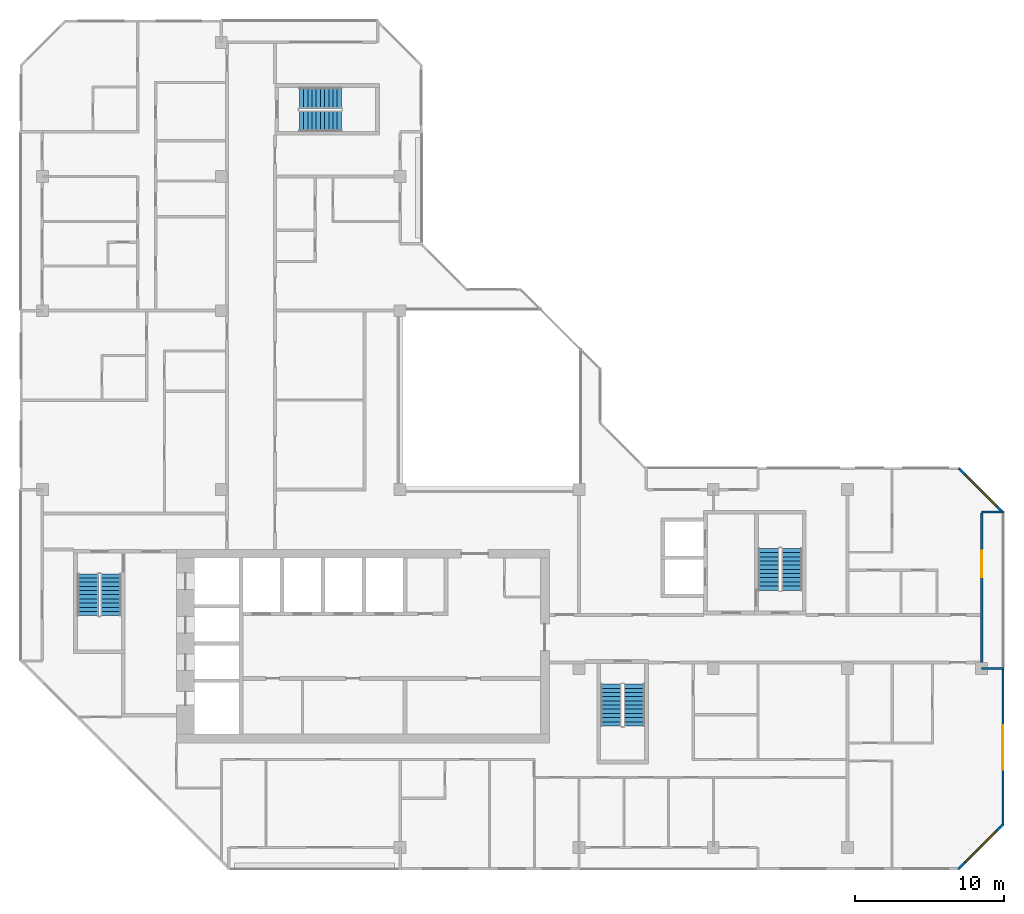
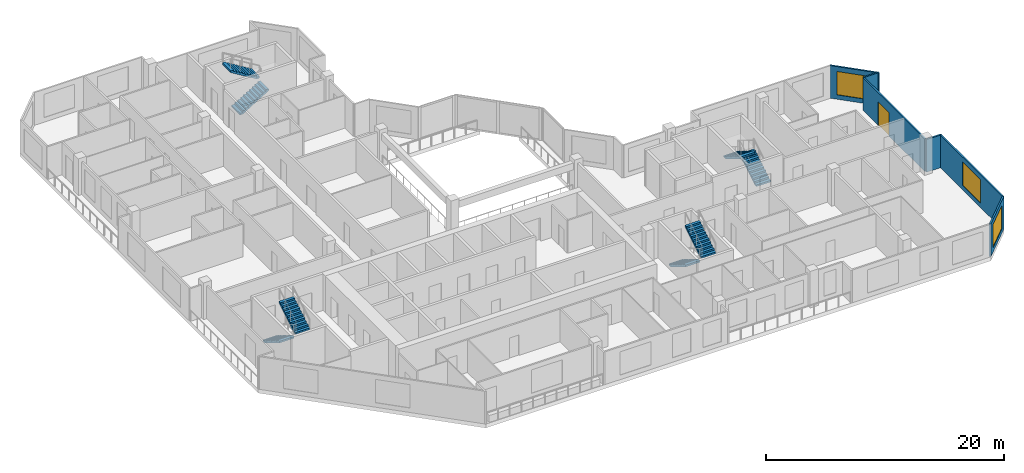
# One storey, part 11 of 13: 8 stair flights, 6 walls, 3 windows, 1 door, 4 openings, 4 elements without a shape of their own.
"""IFC4 building model written with IfcOpenShell, lengths in metres."""

from ifc_helpers import new_model, si_unit, direction, frame, frame_2d, origin, place, context, subcontext, project, spatial, polyline, rectangle, outline, extrude, material, layer, layer_set, type_object, element, fill, aggregate, save


model = new_model("IFC4")

# Units and contexts
model_context = context("Model", 3, precision=1e-05, world=origin(), true_north=direction((0.0, 1.0)))
body_context = subcontext(model_context, "Body", "Model", "MODEL_VIEW")
ifc_project = project(units=[si_unit("LENGTHUNIT", "METRE"), si_unit("AREAUNIT", "SQUARE_METRE"), si_unit("VOLUMEUNIT", "CUBIC_METRE"), si_unit("PLANEANGLEUNIT", "RADIAN"), si_unit("MASSUNIT", "GRAM", prefix="KILO")], contexts=[model_context])

# Site, building, storey
site_placement = place(None, origin())
site = spatial("IfcSite", under=ifc_project, at=site_placement, CompositionType="ELEMENT")
building_placement = place(site_placement, origin())
building = spatial("IfcBuilding", under=site, at=building_placement, Name="Chenar Terraces", CompositionType="ELEMENT")
storey_placement = place(building_placement, frame((0.0, 0.0, 299.64990234375)))
storey = spatial("IfcBuildingStorey", under=building, at=storey_placement, Name="L70", CompositionType="ELEMENT", Elevation=299.64990234375)

# Wall, opening, window
ifc_material_1 = material(Name="Aluminium framed glazing", Category="aluminium")
ifc_layer_1 = layer(ifc_material_1, 0.14990234375)
ifc_layer_set_1 = layer_set([ifc_layer_1], Name="Aluminium framed glazing")
wall_type_1 = type_object("IfcWallType", Name="Glazed flush facade wall 150", PredefinedType="SOLIDWALL", material=ifc_layer_set_1)
wall_1_placement = place(storey_placement, frame((64.425048828125, 1.5, 0.0), z_axis=(0.0, 0.0, 1.0), x_axis=(0.0, 1.0, 0.0)))
wall_1 = element("IfcWall", 1, at=wall_1_placement, inside=storey, type_object=wall_type_1, Name="Glazed flush facade wall", PredefinedType="SOLIDWALL", context=body_context, shape_type="SweptSolid", body=[
    extrude(rectangle(XDim=10.425048828125, YDim=0.14990234375, at=frame_2d((5.21240234375, 0.0))), origin(), (0.0, 0.0, 1.0), 3.35009765625),
])
opening_1_placement = place(wall_1_placement, frame((3.71240234375, 0.0, 0.449951171875)))
opening_1 = element("IfcOpeningElement", 2, at=opening_1_placement, cuts=wall_1, Name="Opening W300x240", PredefinedType="OPENING", context=body_context, shape_type="SweptSolid", body=[
    extrude(rectangle(XDim=3.0, YDim=2.39990234375, at=frame_2d((1.5, 1.199951171875))), frame((0.0, 0.0849609375, 0.0), z_axis=(0.0, -1.0, 0.0), x_axis=(1.0, 0.0, 0.0)), (0.0, 0.0, 1.0), 0.169921875),
])
ifc_material_2 = material(Name="Low emissivity double glazing, aluminium frame", Category="aluminium")
window_type = type_object("IfcWindowType", Name="Fixed light 3000 x 2400", PartitioningType="SINGLE_PANEL", PredefinedType="WINDOW", material=ifc_material_2)
window_1_placement = place(opening_1_placement, origin())
window_1 = element("IfcWindow", 3, at=window_1_placement, inside=storey, type_object=window_type, Name="Window", OverallHeight=2.39990234375, OverallWidth=3.0, PartitioningType="SINGLE_PANEL", PredefinedType="WINDOW", context=body_context, shape_type="SweptSolid", body=[
    extrude(rectangle(XDim=3.0, YDim=2.39990234375, at=frame_2d((1.5, 1.199951171875))), frame((0.0, 0.030029296875, 0.0), z_axis=(0.0, -1.0, 0.0), x_axis=(1.0, 0.0, 0.0)), (0.0, 0.0, 1.0), 0.06005859375),
])
fill(opening_1, window_1)

# Wall, opening, door
ifc_material_3 = material(Name="Aluminium framed glazing", Category="aluminium")
ifc_layer_2 = layer(ifc_material_3, 0.14990234375)
ifc_layer_set_2 = layer_set([ifc_layer_2], Name="Aluminium framed glazing")
wall_type_2 = type_object("IfcWallType", Name="Glazed loggia back wall 150", PredefinedType="SOLIDWALL", material=ifc_layer_set_2)
wall_2_placement = place(storey_placement, frame((63.0, 12.074951171875, 0.0), z_axis=(0.0, 0.0, 1.0), x_axis=(0.0, 1.0, 0.0)))
wall_2 = element("IfcWall", 4, at=wall_2_placement, inside=storey, type_object=wall_type_2, Name="Glazed loggia back wall", PredefinedType="SOLIDWALL", context=body_context, shape_type="SweptSolid", body=[
    extrude(rectangle(XDim=10.35009765625, YDim=0.14990234375, at=frame_2d((5.175048828125, 0.0))), origin(), (0.0, 0.0, 1.0), 3.35009765625),
])
opening_2_placement = place(wall_2_placement, frame((6.03759765625, 0.0, 0.0)))
opening_2 = element("IfcOpeningElement", 5, at=opening_2_placement, cuts=wall_2, Name="Opening DL70-G6", PredefinedType="OPENING", context=body_context, shape_type="SweptSolid", body=[
    extrude(rectangle(XDim=1.800048828125, YDim=2.39990234375, at=frame_2d((0.89990234375, 1.199951171875))), frame((0.0, 0.0849609375, 0.0), z_axis=(0.0, -1.0, 0.0), x_axis=(1.0, 0.0, 0.0)), (0.0, 0.0, 1.0), 0.169921875),
])
ifc_material_4 = material(Name="Low emissivity double glazing, aluminium frame", Category="aluminium")
door_type = type_object("IfcDoorType", Name="Loggia glazed double door 1800 x 2400", OperationType="DOUBLE_DOOR_SINGLE_SWING", PredefinedType="DOOR", material=ifc_material_4)
door_placement = place(opening_2_placement, frame((1.800048828125, 0.0, 0.0), z_axis=(0.0, 0.0, 1.0), x_axis=(-1.0, 0.0, 0.0)))
door = element("IfcDoor", 6, at=door_placement, inside=storey, type_object=door_type, Name="Loggia glazed door", OperationType="DOUBLE_DOOR_SINGLE_SWING", OverallHeight=2.39990234375, OverallWidth=1.800048828125, PredefinedType="DOOR", context=body_context, shape_type="SweptSolid", body=[
    extrude(rectangle(XDim=1.800048828125, YDim=2.39990234375, at=frame_2d((0.89990234375, 1.199951171875))), frame((0.0, 0.02490234375, 0.0), z_axis=(0.0, -1.0, 0.0), x_axis=(1.0, 0.0, 0.0)), (0.0, 0.0, 1.0), 0.050048828125),
])
fill(opening_2, door)

# Walls
ifc_material_5 = material(Name="Terracotta cladding on insulated backing", Category="masonry")
ifc_layer_3 = layer(ifc_material_5, 0.14990234375)
ifc_layer_set_3 = layer_set([ifc_layer_3], Name="Terracotta cladding on insulated backing")
wall_type_3 = type_object("IfcWallType", Name="Loggia return wall 150", PredefinedType="SOLIDWALL", material=ifc_layer_set_3)
for number, where, z_axis, x_axis, name in (
    (7, (64.5, 12.0, 0.0), (0.0, 0.0, 1.0), (-1.0, 0.0, 0.0), "Loggia return wall"),
    (8, (64.5, 22.5, 0.0), (0.0, 0.0, 1.0), (-1.0, 0.0, 0.0), "Loggia return wall"),
):
    element("IfcWall", number, at=place(storey_placement, frame(where, z_axis=z_axis, x_axis=x_axis)), inside=storey, type_object=wall_type_3, Name=name, PredefinedType="SOLIDWALL", context=body_context, shape_type="SweptSolid", body=[
        extrude(rectangle(XDim=1.5, YDim=0.14990234375, at=frame_2d((0.75, 0.0))), origin(), (0.0, 0.0, 1.0), 3.35009765625),
    ])

# Wall, opening, window
ifc_material_6 = material(Name="Terracotta cladding on insulated backing", Category="masonry")
ifc_layer_4 = layer(ifc_material_6, 0.14990234375)
ifc_layer_set_4 = layer_set([ifc_layer_4], Name="Terracotta cladding on insulated backing")
wall_type_4 = type_object("IfcWallType", Name="Terracotta rainscreen wall 150", PredefinedType="SOLIDWALL", material=ifc_layer_set_4)
wall_3_placement = place(storey_placement, frame((61.447021484375, -1.447021484375, 0.0), z_axis=(0.0, 0.0, 1.0), x_axis=(0.707106781187, 0.707106781187, 0.0)))
wall_3 = element("IfcWall", 9, at=wall_3_placement, inside=storey, type_object=wall_type_4, Name="Terracotta rainscreen wall", PredefinedType="SOLIDWALL", context=body_context, shape_type="SweptSolid", body=[
    extrude(rectangle(XDim=4.24267578125, YDim=0.14990234375, at=frame_2d((2.121337890625, 0.0))), origin(), (0.0, 0.0, 1.0), 3.35009765625),
])
opening_3_placement = place(wall_3_placement, frame((0.621337890625, 0.0, 0.449951171875)))
opening_3 = element("IfcOpeningElement", 10, at=opening_3_placement, cuts=wall_3, Name="Opening W300x240", PredefinedType="OPENING", context=body_context, shape_type="SweptSolid", body=[
    extrude(rectangle(XDim=3.0, YDim=2.39990234375, at=frame_2d((1.5, 1.199951171875))), frame((0.0, 0.0849609375, 0.0), z_axis=(0.0, -1.0, 0.0), x_axis=(1.0, 0.0, 0.0)), (0.0, 0.0, 1.0), 0.169921875),
])
window_2_placement = place(opening_3_placement, origin())
window_2 = element("IfcWindow", 11, at=window_2_placement, inside=storey, type_object=window_type, Name="Window", OverallHeight=2.39990234375, OverallWidth=3.0, PartitioningType="SINGLE_PANEL", PredefinedType="WINDOW", context=body_context, shape_type="SweptSolid", body=[
    extrude(rectangle(XDim=3.0, YDim=2.39990234375, at=frame_2d((1.5, 1.199951171875))), frame((0.0, 0.030029296875, 0.0), z_axis=(0.0, -1.0, 0.0), x_axis=(1.0, 0.0, 0.0)), (0.0, 0.0, 1.0), 0.06005859375),
])
fill(opening_3, window_2)

wall_4_placement = place(storey_placement, frame((64.447021484375, 22.447021484375, 0.0), z_axis=(0.0, 0.0, 1.0), x_axis=(-0.707106781187, 0.707106781187, 0.0)))
wall_4 = element("IfcWall", 12, at=wall_4_placement, inside=storey, type_object=wall_type_4, Name="Terracotta rainscreen wall", PredefinedType="SOLIDWALL", context=body_context, shape_type="SweptSolid", body=[
    extrude(rectangle(XDim=4.24267578125, YDim=0.14990234375, at=frame_2d((2.121337890625, 0.0))), origin(), (0.0, 0.0, 1.0), 3.35009765625),
])
opening_4_placement = place(wall_4_placement, frame((0.621337890625, 0.0, 0.449951171875)))
opening_4 = element("IfcOpeningElement", 13, at=opening_4_placement, cuts=wall_4, Name="Opening W300x240", PredefinedType="OPENING", context=body_context, shape_type="SweptSolid", body=[
    extrude(rectangle(XDim=3.0, YDim=2.39990234375, at=frame_2d((1.5, 1.199951171875))), frame((0.0, 0.0849609375, 0.0), z_axis=(0.0, -1.0, 0.0), x_axis=(1.0, 0.0, 0.0)), (0.0, 0.0, 1.0), 0.169921875),
])
window_3_placement = place(opening_4_placement, origin())
window_3 = element("IfcWindow", 14, at=window_3_placement, inside=storey, type_object=window_type, Name="Window", OverallHeight=2.39990234375, OverallWidth=3.0, PartitioningType="SINGLE_PANEL", PredefinedType="WINDOW", context=body_context, shape_type="SweptSolid", body=[
    extrude(rectangle(XDim=3.0, YDim=2.39990234375, at=frame_2d((1.5, 1.199951171875))), frame((0.0, 0.030029296875, 0.0), z_axis=(0.0, -1.0, 0.0), x_axis=(1.0, 0.0, 0.0)), (0.0, 0.0, 1.0), 0.06005859375),
])
fill(opening_4, window_3)

# Stair, stair flights
ifc_material_7 = material(Name="Reinforced concrete C40/50", Category="concrete")
stair_type = type_object("IfcStairType", Name="Core stair 1400 half-turn", PredefinedType="HALF_TURN_STAIR", material=ifc_material_7)
placement = place(storey_placement, origin())
stair_1 = element("IfcStair", 15, at=placement, inside=storey, type_object=stair_type, Name="L70 Stair 1", PredefinedType="HALF_TURN_STAIR")
ifc_material_8 = material(Name="Reinforced concrete C40/50", Category="concrete")
stair_flight_type = type_object("IfcStairFlightType", Name="Core stair flight 1400", PredefinedType="STRAIGHT", material=ifc_material_8)
stair_flight_1_placement = place(storey_placement, frame((3.050048828125, 18.35009765625, 0.0), z_axis=(0.0, 0.0, 1.0), x_axis=(0.0, -1.0, 0.0)))
stair_flight_1 = element("IfcStairFlight", 16, at=stair_flight_1_placement, type_object=stair_flight_type, Name="ST1 flight 1", NumberOfRisers=11, NumberOfTreads=10, PredefinedType="STRAIGHT", RiserHeight=0.170454545, TreadLength=0.28, context=body_context, shape_type="SweptSolid", body=[
    extrude(outline(polyline([(-0.0029296875, 0.0), (-0.0029296875, 0.17041015625), (0.0, 0.17041015625), (0.280029296875, 0.17041015625), (0.280029296875, 0.3408203125), (0.56005859375, 0.3408203125), (0.56005859375, 0.511474609375), (0.840087890625, 0.511474609375), (0.840087890625, 0.681884765625), (1.1201171875, 0.681884765625), (1.1201171875, 0.852294921875), (1.39990234375, 0.852294921875), (1.39990234375, 1.022705078125), (1.679931640625, 1.022705078125), (1.679931640625, 1.193115234375), (1.9599609375, 1.193115234375), (1.9599609375, 1.363525390625), (2.239990234375, 1.363525390625), (2.239990234375, 1.5341796875), (2.52001953125, 1.5341796875), (2.52001953125, 1.70458984375), (2.800048828125, 1.70458984375), (2.802978515625, 1.70458984375), (2.802978515625, 1.529052734375), (2.800048828125, 1.529052734375), (0.288330078125, 0.0), (-0.0029296875, 0.0)])), frame((0.0, 0.699951171875, 0.0), z_axis=(0.0, -1.0, 0.0), x_axis=(1.0, 0.0, 0.0)), (0.0, 0.0, 1.0), 1.39990234375),
])
stair_flight_2_placement = place(storey_placement, frame((4.60009765625, 15.550048828125, 1.875), z_axis=(0.0, 0.0, 1.0), x_axis=(0.0, 1.0, 0.0)))
stair_flight_2 = element("IfcStairFlight", 17, at=stair_flight_2_placement, type_object=stair_flight_type, Name="ST1 flight 2", NumberOfRisers=11, NumberOfTreads=10, PredefinedType="STRAIGHT", RiserHeight=0.170454545, TreadLength=0.28, context=body_context, shape_type="SweptSolid", body=[
    extrude(outline(polyline([(-0.0029296875, 0.0), (-0.0029296875, 0.17041015625), (0.0, 0.17041015625), (0.280029296875, 0.17041015625), (0.280029296875, 0.3408203125), (0.56005859375, 0.3408203125), (0.56005859375, 0.511474609375), (0.840087890625, 0.511474609375), (0.840087890625, 0.681884765625), (1.1201171875, 0.681884765625), (1.1201171875, 0.852294921875), (1.39990234375, 0.852294921875), (1.39990234375, 1.022705078125), (1.679931640625, 1.022705078125), (1.679931640625, 1.193115234375), (1.9599609375, 1.193115234375), (1.9599609375, 1.363525390625), (2.239990234375, 1.363525390625), (2.239990234375, 1.5341796875), (2.52001953125, 1.5341796875), (2.52001953125, 1.70458984375), (2.800048828125, 1.70458984375), (2.802978515625, 1.70458984375), (2.802978515625, 1.529052734375), (2.800048828125, 1.529052734375), (0.288330078125, 0.0), (-0.0029296875, 0.0)])), frame((0.0, 0.699951171875, 0.0), z_axis=(0.0, -1.0, 0.0), x_axis=(1.0, 0.0, 0.0)), (0.0, 0.0, 1.0), 1.39990234375),
])
aggregate(stair_1, [stair_flight_1, stair_flight_2])

stair_2 = element("IfcStair", 18, at=placement, inside=storey, type_object=stair_type, Name="L70 Stair 2", PredefinedType="HALF_TURN_STAIR")
stair_flight_3_placement = place(storey_placement, frame((38.14990234375, 10.949951171875, 0.0), z_axis=(0.0, 0.0, 1.0), x_axis=(0.0, -1.0, 0.0)))
stair_flight_3 = element("IfcStairFlight", 19, at=stair_flight_3_placement, type_object=stair_flight_type, Name="ST2 flight 1", NumberOfRisers=11, NumberOfTreads=10, PredefinedType="STRAIGHT", RiserHeight=0.170454545, TreadLength=0.28, context=body_context, shape_type="SweptSolid", body=[
    extrude(outline(polyline([(-0.0029296875, 0.0), (-0.0029296875, 0.17041015625), (0.0, 0.17041015625), (0.280029296875, 0.17041015625), (0.280029296875, 0.3408203125), (0.56005859375, 0.3408203125), (0.56005859375, 0.511474609375), (0.840087890625, 0.511474609375), (0.840087890625, 0.681884765625), (1.1201171875, 0.681884765625), (1.1201171875, 0.852294921875), (1.39990234375, 0.852294921875), (1.39990234375, 1.022705078125), (1.679931640625, 1.022705078125), (1.679931640625, 1.193115234375), (1.9599609375, 1.193115234375), (1.9599609375, 1.363525390625), (2.239990234375, 1.363525390625), (2.239990234375, 1.5341796875), (2.52001953125, 1.5341796875), (2.52001953125, 1.70458984375), (2.800048828125, 1.70458984375), (2.802978515625, 1.70458984375), (2.802978515625, 1.529052734375), (2.800048828125, 1.529052734375), (0.288330078125, 0.0), (-0.0029296875, 0.0)])), frame((0.0, 0.699951171875, 0.0), z_axis=(0.0, -1.0, 0.0), x_axis=(1.0, 0.0, 0.0)), (0.0, 0.0, 1.0), 1.39990234375),
])
stair_flight_4_placement = place(storey_placement, frame((39.699951171875, 8.14990234375, 1.875), z_axis=(0.0, 0.0, 1.0), x_axis=(0.0, 1.0, 0.0)))
stair_flight_4 = element("IfcStairFlight", 20, at=stair_flight_4_placement, type_object=stair_flight_type, Name="ST2 flight 2", NumberOfRisers=11, NumberOfTreads=10, PredefinedType="STRAIGHT", RiserHeight=0.170454545, TreadLength=0.28, context=body_context, shape_type="SweptSolid", body=[
    extrude(outline(polyline([(-0.0029296875, 0.0), (-0.0029296875, 0.17041015625), (0.0, 0.17041015625), (0.280029296875, 0.17041015625), (0.280029296875, 0.3408203125), (0.56005859375, 0.3408203125), (0.56005859375, 0.511474609375), (0.840087890625, 0.511474609375), (0.840087890625, 0.681884765625), (1.1201171875, 0.681884765625), (1.1201171875, 0.852294921875), (1.39990234375, 0.852294921875), (1.39990234375, 1.022705078125), (1.679931640625, 1.022705078125), (1.679931640625, 1.193115234375), (1.9599609375, 1.193115234375), (1.9599609375, 1.363525390625), (2.239990234375, 1.363525390625), (2.239990234375, 1.5341796875), (2.52001953125, 1.5341796875), (2.52001953125, 1.70458984375), (2.800048828125, 1.70458984375), (2.802978515625, 1.70458984375), (2.802978515625, 1.529052734375), (2.800048828125, 1.529052734375), (0.288330078125, 0.0), (-0.0029296875, 0.0)])), frame((0.0, 0.699951171875, 0.0), z_axis=(0.0, -1.0, 0.0), x_axis=(1.0, 0.0, 0.0)), (0.0, 0.0, 1.0), 1.39990234375),
])
aggregate(stair_2, [stair_flight_3, stair_flight_4])

stair_3 = element("IfcStair", 21, at=placement, inside=storey, type_object=stair_type, Name="L70 Stair 3", PredefinedType="HALF_TURN_STAIR")
stair_flight_5_placement = place(storey_placement, frame((50.27490234375, 17.25, 0.0), z_axis=(0.0, 0.0, 1.0), x_axis=(0.0, 1.0, 0.0)))
stair_flight_5 = element("IfcStairFlight", 22, at=stair_flight_5_placement, type_object=stair_flight_type, Name="ST3 flight 1", NumberOfRisers=11, NumberOfTreads=10, PredefinedType="STRAIGHT", RiserHeight=0.170454545, TreadLength=0.28, context=body_context, shape_type="SweptSolid", body=[
    extrude(outline(polyline([(-0.0029296875, 0.0), (-0.0029296875, 0.17041015625), (0.0, 0.17041015625), (0.280029296875, 0.17041015625), (0.280029296875, 0.3408203125), (0.56005859375, 0.3408203125), (0.56005859375, 0.511474609375), (0.840087890625, 0.511474609375), (0.840087890625, 0.681884765625), (1.1201171875, 0.681884765625), (1.1201171875, 0.852294921875), (1.39990234375, 0.852294921875), (1.39990234375, 1.022705078125), (1.679931640625, 1.022705078125), (1.679931640625, 1.193115234375), (1.9599609375, 1.193115234375), (1.9599609375, 1.363525390625), (2.239990234375, 1.363525390625), (2.239990234375, 1.5341796875), (2.52001953125, 1.5341796875), (2.52001953125, 1.70458984375), (2.800048828125, 1.70458984375), (2.802978515625, 1.70458984375), (2.802978515625, 1.529052734375), (2.800048828125, 1.529052734375), (0.288330078125, 0.0), (-0.0029296875, 0.0)])), frame((0.0, 0.699951171875, 0.0), z_axis=(0.0, -1.0, 0.0), x_axis=(1.0, 0.0, 0.0)), (0.0, 0.0, 1.0), 1.39990234375),
])
stair_flight_6_placement = place(storey_placement, frame((48.72509765625, 20.050048828125, 1.875), z_axis=(0.0, 0.0, 1.0), x_axis=(0.0, -1.0, 0.0)))
stair_flight_6 = element("IfcStairFlight", 23, at=stair_flight_6_placement, type_object=stair_flight_type, Name="ST3 flight 2", NumberOfRisers=11, NumberOfTreads=10, PredefinedType="STRAIGHT", RiserHeight=0.170454545, TreadLength=0.28, context=body_context, shape_type="SweptSolid", body=[
    extrude(outline(polyline([(-0.0029296875, 0.0), (-0.0029296875, 0.17041015625), (0.0, 0.17041015625), (0.280029296875, 0.17041015625), (0.280029296875, 0.3408203125), (0.56005859375, 0.3408203125), (0.56005859375, 0.511474609375), (0.840087890625, 0.511474609375), (0.840087890625, 0.681884765625), (1.1201171875, 0.681884765625), (1.1201171875, 0.852294921875), (1.39990234375, 0.852294921875), (1.39990234375, 1.022705078125), (1.679931640625, 1.022705078125), (1.679931640625, 1.193115234375), (1.9599609375, 1.193115234375), (1.9599609375, 1.363525390625), (2.239990234375, 1.363525390625), (2.239990234375, 1.5341796875), (2.52001953125, 1.5341796875), (2.52001953125, 1.70458984375), (2.800048828125, 1.70458984375), (2.802978515625, 1.70458984375), (2.802978515625, 1.529052734375), (2.800048828125, 1.529052734375), (0.288330078125, 0.0), (-0.0029296875, 0.0)])), frame((0.0, 0.699951171875, 0.0), z_axis=(0.0, -1.0, 0.0), x_axis=(1.0, 0.0, 0.0)), (0.0, 0.0, 1.0), 1.39990234375),
])
aggregate(stair_3, [stair_flight_5, stair_flight_6])

stair_4 = element("IfcStair", 24, at=placement, inside=storey, type_object=stair_type, Name="L70 Stair 4", PredefinedType="HALF_TURN_STAIR")
stair_flight_7_placement = place(storey_placement, frame((17.25, 48.72509765625, 0.0), z_axis=(0.0, 0.0, 1.0), x_axis=(1.0, 0.0, 0.0)))
stair_flight_7 = element("IfcStairFlight", 25, at=stair_flight_7_placement, type_object=stair_flight_type, Name="ST4 flight 1", NumberOfRisers=11, NumberOfTreads=10, PredefinedType="STRAIGHT", RiserHeight=0.170454545, TreadLength=0.28, context=body_context, shape_type="SweptSolid", body=[
    extrude(outline(polyline([(-0.0029296875, 0.0), (-0.0029296875, 0.17041015625), (0.0, 0.17041015625), (0.280029296875, 0.17041015625), (0.280029296875, 0.3408203125), (0.56005859375, 0.3408203125), (0.56005859375, 0.511474609375), (0.840087890625, 0.511474609375), (0.840087890625, 0.681884765625), (1.1201171875, 0.681884765625), (1.1201171875, 0.852294921875), (1.39990234375, 0.852294921875), (1.39990234375, 1.022705078125), (1.679931640625, 1.022705078125), (1.679931640625, 1.193115234375), (1.9599609375, 1.193115234375), (1.9599609375, 1.363525390625), (2.239990234375, 1.363525390625), (2.239990234375, 1.5341796875), (2.52001953125, 1.5341796875), (2.52001953125, 1.70458984375), (2.800048828125, 1.70458984375), (2.802978515625, 1.70458984375), (2.802978515625, 1.529052734375), (2.800048828125, 1.529052734375), (0.288330078125, 0.0), (-0.0029296875, 0.0)])), frame((0.0, 0.699951171875, 0.0), z_axis=(0.0, -1.0, 0.0), x_axis=(1.0, 0.0, 0.0)), (0.0, 0.0, 1.0), 1.39990234375),
])
stair_flight_8_placement = place(storey_placement, frame((20.050048828125, 50.27490234375, 1.875), z_axis=(0.0, 0.0, 1.0), x_axis=(-1.0, 0.0, 0.0)))
stair_flight_8 = element("IfcStairFlight", 26, at=stair_flight_8_placement, type_object=stair_flight_type, Name="ST4 flight 2", NumberOfRisers=11, NumberOfTreads=10, PredefinedType="STRAIGHT", RiserHeight=0.170454545, TreadLength=0.28, context=body_context, shape_type="SweptSolid", body=[
    extrude(outline(polyline([(-0.0029296875, 0.0), (-0.0029296875, 0.17041015625), (0.0, 0.17041015625), (0.280029296875, 0.17041015625), (0.280029296875, 0.3408203125), (0.56005859375, 0.3408203125), (0.56005859375, 0.511474609375), (0.840087890625, 0.511474609375), (0.840087890625, 0.681884765625), (1.1201171875, 0.681884765625), (1.1201171875, 0.852294921875), (1.39990234375, 0.852294921875), (1.39990234375, 1.022705078125), (1.679931640625, 1.022705078125), (1.679931640625, 1.193115234375), (1.9599609375, 1.193115234375), (1.9599609375, 1.363525390625), (2.239990234375, 1.363525390625), (2.239990234375, 1.5341796875), (2.52001953125, 1.5341796875), (2.52001953125, 1.70458984375), (2.800048828125, 1.70458984375), (2.802978515625, 1.70458984375), (2.802978515625, 1.529052734375), (2.800048828125, 1.529052734375), (0.288330078125, 0.0), (-0.0029296875, 0.0)])), frame((0.0, 0.699951171875, 0.0), z_axis=(0.0, -1.0, 0.0), x_axis=(1.0, 0.0, 0.0)), (0.0, 0.0, 1.0), 1.39990234375),
])
aggregate(stair_4, [stair_flight_7, stair_flight_8])

save(model, "model.ifc")
